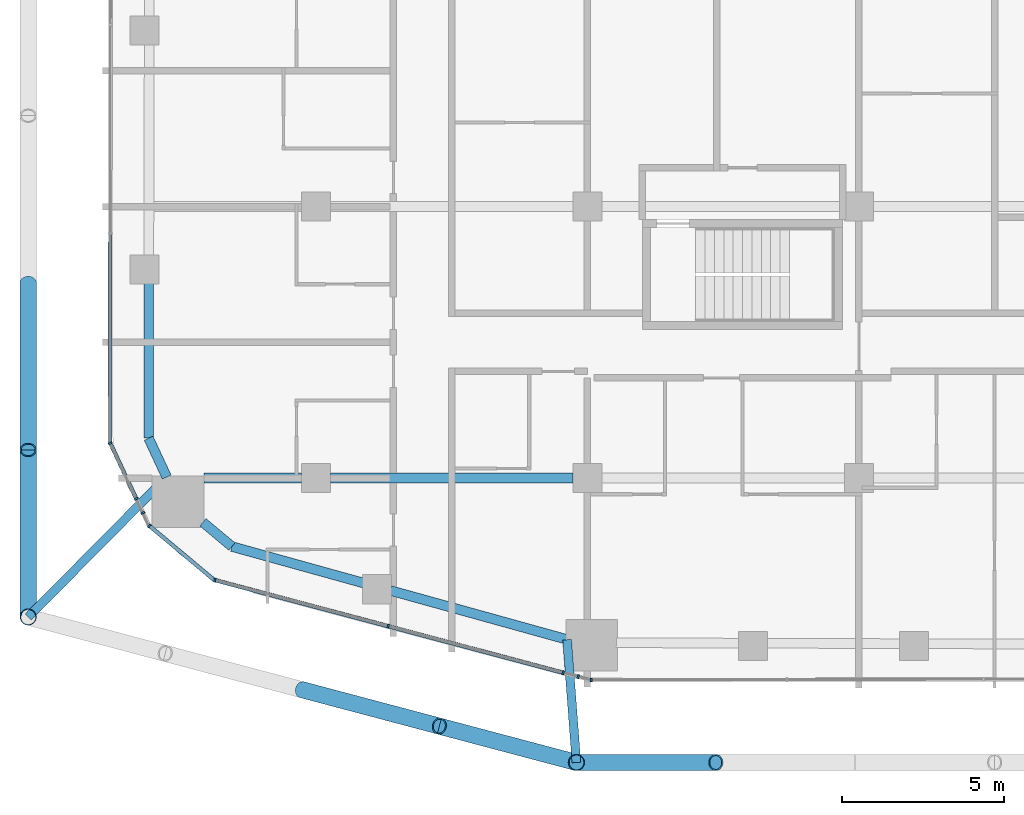
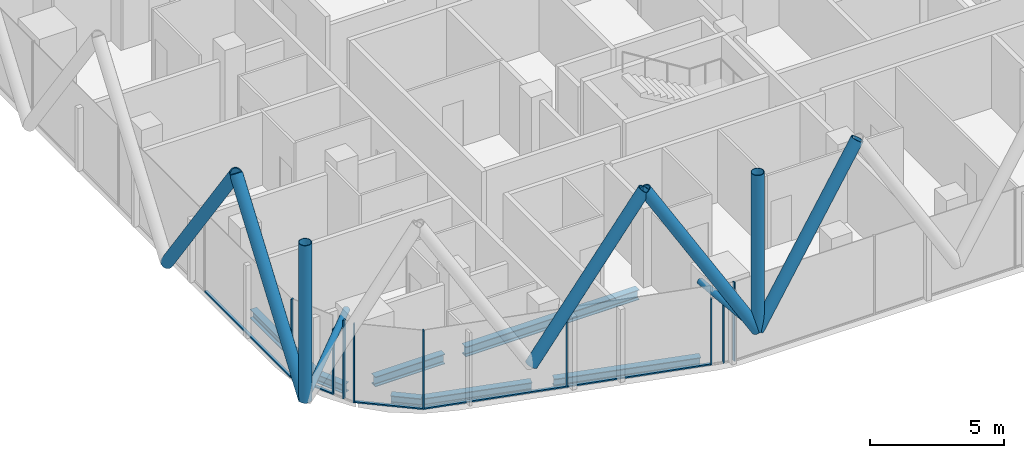
# One storey, part 2 of 33: 23 members, 7 beams, 9 elements without a shape of their own.
"""IFC4 building model written with IfcOpenShell, lengths in metres."""

from ifc_helpers import new_model, si_unit, direction, frame, origin, origin_2d, place, context, subcontext, project, spatial, rectangle, hollow_circle, i_section, extrude, material, layer, layer_set, material_profile, profile_set, type_object, element, aggregate, save


model = new_model("IFC4")

# Units and contexts
model_context = context("Model", 3, precision=1e-05, world=origin(), true_north=direction((0.0, 1.0)))
body_context = subcontext(model_context, "Body", "Model", "MODEL_VIEW")
ifc_project = project(units=[si_unit("LENGTHUNIT", "METRE"), si_unit("AREAUNIT", "SQUARE_METRE"), si_unit("VOLUMEUNIT", "CUBIC_METRE"), si_unit("PLANEANGLEUNIT", "RADIAN"), si_unit("MASSUNIT", "GRAM", prefix="KILO")], contexts=[model_context])

# Site, building, storey
site_placement = place(None, origin())
site = spatial("IfcSite", under=ifc_project, at=site_placement, CompositionType="ELEMENT")
building_placement = place(site_placement, origin())
building = spatial("IfcBuilding", under=site, at=building_placement, Name="Marenta Gate Hotel Tower", CompositionType="ELEMENT")
storey_placement = place(building_placement, frame((0.0, 0.0, 151.699951171875)))
storey = spatial("IfcBuildingStorey", under=building, at=storey_placement, Name="L35", CompositionType="ELEMENT", Elevation=151.699951171875)

# Members
ifc_material_1 = material(Name="Steel S355J2W", Category="steel")
ifc_material_profile_1 = material_profile(ifc_material_1, hollow_circle(Radius=0.25390625, WallThickness=0.02490234375, at=origin_2d()), Name="CHS 508x25")
ifc_profile_set_1 = profile_set([ifc_material_profile_1], Name="Steel S355J2W")
member_type_1 = type_object("IfcMemberType", Name="Diagrid corner post Z2 CHS 508x25", PredefinedType="POST", material=ifc_profile_set_1)
for number, where, z_axis, x_axis, name in (
    (1, (-12.93896484375, -25.60009765625, 3.14013671875), (0.0, 0.0, 1.0), (1.0, 0.0, 0.0), "L35-DR-4"),
    (2, (-29.89990234375, -21.10009765625, 3.14013671875), (0.0, 0.0, 1.0), (1.0, 0.0, 0.0), "L35-DR-5"),
):
    element("IfcMember", number, at=place(storey_placement, frame(where, z_axis=z_axis, x_axis=x_axis)), inside=storey, type_object=member_type_1, Name=name, PredefinedType="POST", context=body_context, shape_type="SweptSolid", body=[
        extrude(hollow_circle(Radius=0.25390625, WallThickness=0.02490234375, at=origin_2d()), origin(), (0.0, 0.0, 1.0), 7.199951171875),
    ])
ifc_material_2 = material(Name="Steel S355J2W", Category="steel")
ifc_material_profile_2 = material_profile(ifc_material_2, hollow_circle(Radius=0.25390625, WallThickness=0.0400390625, at=origin_2d()), Name="CHS 508x40")
ifc_profile_set_2 = profile_set([ifc_material_profile_2], Name="Steel S355J2W")
member_type_2 = type_object("IfcMemberType", Name="Diagrid diagonal Z2 CHS 508x40", PredefinedType="BRACE", material=ifc_profile_set_2)
member_1_placement = place(storey_placement, frame((-12.93896484375, -25.60009765625, 3.14013671875), z_axis=(0.513883902774, 0.0, 0.857859740558), x_axis=(0.0, 1.0, 0.0)))
element("IfcMember", 3, at=member_1_placement, inside=storey, type_object=member_type_2, Name="L35-DG-20", PredefinedType="BRACE", context=body_context, shape_type="SweptSolid", body=[
    extrude(hollow_circle(Radius=0.25390625, WallThickness=0.0400390625, at=origin_2d()), origin(), (0.0, 0.0, 1.0), 8.392822265625),
])
for number, where, z_axis, x_axis, name in (
    (4, (-12.93896484375, -25.60009765625, 3.14013671875), (-0.502924018666, 0.133433548941, 0.853968921838), (-0.256443187528, -0.96655930577, 0.0), "L35-DG-21"),
    (5, (-21.41943359375, -23.35009765625, 3.14013671875), (0.502924018666, -0.133433548941, 0.853968921838), (0.256443187528, 0.96655930577, 0.0), "L35-DG-22"),
):
    element("IfcMember", number, at=place(storey_placement, frame(where, z_axis=z_axis, x_axis=x_axis)), inside=storey, type_object=member_type_2, Name=name, PredefinedType="BRACE", context=body_context, shape_type="SweptSolid", body=[
        extrude(hollow_circle(Radius=0.25390625, WallThickness=0.0400390625, at=origin_2d()), origin(), (0.0, 0.0, 1.0), 8.43115234375),
    ])
member_2_placement = place(storey_placement, frame((-29.89990234375, -21.10009765625, 3.14013671875), z_axis=(0.0, 0.583260841117, 0.812284919975), x_axis=(-1.0, 0.0, 0.0)))
element("IfcMember", 6, at=member_2_placement, inside=storey, type_object=member_type_2, Name="L35-DG-25", PredefinedType="BRACE", context=body_context, shape_type="SweptSolid", body=[
    extrude(hollow_circle(Radius=0.25390625, WallThickness=0.0400390625, at=origin_2d()), origin(), (0.0, 0.0, 1.0), 8.86376953125),
])
member_3_placement = place(storey_placement, frame((-29.89990234375, -10.760009765625, 3.14013671875), z_axis=(0.0, -0.583279014058, 0.812271870595), x_axis=(1.0, 0.0, 0.0)))
element("IfcMember", 7, at=member_3_placement, inside=storey, type_object=member_type_2, Name="L35-DG-26", PredefinedType="BRACE", context=body_context, shape_type="SweptSolid", body=[
    extrude(hollow_circle(Radius=0.25390625, WallThickness=0.0400390625, at=origin_2d()), origin(), (0.0, 0.0, 1.0), 8.864013671875),
])

# Beams
ifc_material_3 = material(Name="Steel S355", Category="steel")
ifc_material_profile_3 = material_profile(ifc_material_3, i_section(OverallWidth=0.300048828125, OverallDepth=0.39990234375, WebThickness=0.013427734375, FlangeThickness=0.02392578125, FilletRadius=0.027099609375, at=origin_2d()), Name="HEB 400")
ifc_profile_set_3 = profile_set([ifc_material_profile_3], Name="Steel S355")
beam_type_1 = type_object("IfcBeamType", Name="Edge beam HEB 400", PredefinedType="SPANDREL", material=ifc_profile_set_3)
beam_1_placement = place(storey_placement, frame((-13.227783203125, -21.794677734375, -0.4599609375), z_axis=(-0.963615860477, 0.267290990189, 0.0), x_axis=(-0.267290990189, -0.963615860477, 0.0)))
element("IfcBeam", 8, at=beam_1_placement, inside=storey, type_object=beam_type_1, Name="L35-EB-1", PredefinedType="SPANDREL", context=body_context, shape_type="SweptSolid", body=[
    extrude(i_section(OverallWidth=0.300048828125, OverallDepth=0.39990234375, WebThickness=0.013427734375, FlangeThickness=0.02392578125, FilletRadius=0.027099609375, at=origin_2d()), origin(), (0.0, 0.0, 1.0), 5.674072265625),
])
beam_2_placement = place(storey_placement, frame((-19.518310546875, -20.0498046875, -0.4599609375), z_axis=(-0.963630213062, 0.267239242016, 0.0), x_axis=(-0.267239242016, -0.963630213062, 0.0)))
element("IfcBeam", 9, at=beam_2_placement, inside=storey, type_object=beam_type_1, Name="L35-EB-2", PredefinedType="SPANDREL", context=body_context, shape_type="SweptSolid", body=[
    extrude(i_section(OverallWidth=0.300048828125, OverallDepth=0.39990234375, WebThickness=0.013427734375, FlangeThickness=0.02392578125, FilletRadius=0.027099609375, at=origin_2d()), origin(), (0.0, 0.0, 1.0), 4.232666015625),
])
beam_3_placement = place(storey_placement, frame((-23.596923828125, -18.918701171875, -0.4599609375), z_axis=(-0.767073132856, 0.641559668972, 0.0), x_axis=(-0.641559668972, -0.767073132856, 0.0)))
element("IfcBeam", 10, at=beam_3_placement, inside=storey, type_object=beam_type_1, Name="L35-EB-3", PredefinedType="SPANDREL", context=body_context, shape_type="SweptSolid", body=[
    extrude(i_section(OverallWidth=0.300048828125, OverallDepth=0.39990234375, WebThickness=0.013427734375, FlangeThickness=0.02392578125, FilletRadius=0.027099609375, at=origin_2d()), origin(), (0.0, 0.0, 1.0), 1.1689453125),
])
beam_4_placement = place(storey_placement, frame((-25.613525390625, -16.769287109375, -0.4599609375), z_axis=(-0.423207780269, 0.906032656541, 0.0), x_axis=(-0.906032656541, -0.423207780269, 0.0)))
element("IfcBeam", 11, at=beam_4_placement, inside=storey, type_object=beam_type_1, Name="L35-EB-4", PredefinedType="SPANDREL", context=body_context, shape_type="SweptSolid", body=[
    extrude(i_section(OverallWidth=0.300048828125, OverallDepth=0.39990234375, WebThickness=0.013427734375, FlangeThickness=0.02392578125, FilletRadius=0.027099609375, at=origin_2d()), origin(), (0.0, 0.0, 1.0), 1.326904296875),
])
beam_5_placement = place(storey_placement, frame((-26.175048828125, -15.567138671875, -0.4599609375), z_axis=(0.001371810517, 0.999999059068, 0.0), x_axis=(-0.999999059068, 0.001371810517, 0.0)))
element("IfcBeam", 12, at=beam_5_placement, inside=storey, type_object=beam_type_1, Name="L35-EB-5", PredefinedType="SPANDREL", context=body_context, shape_type="SweptSolid", body=[
    extrude(i_section(OverallWidth=0.300048828125, OverallDepth=0.39990234375, WebThickness=0.013427734375, FlangeThickness=0.02392578125, FilletRadius=0.027099609375, at=origin_2d()), origin(), (0.0, 0.0, 1.0), 4.80517578125),
])

# Members
ifc_material_4 = material(Name="Steel S355J2W", Category="steel")
ifc_material_profile_4 = material_profile(ifc_material_4, hollow_circle(Radius=0.136474609375, WallThickness=0.012451171875, at=origin_2d()), Name="CHS 273x12.5")
ifc_profile_set_4 = profile_set([ifc_material_profile_4], Name="Steel S355J2W")
member_type_3 = type_object("IfcMemberType", Name="Floor tie CHS 273x12.5", PredefinedType="STRUT", material=ifc_profile_set_4)
member_4_placement = place(storey_placement, frame((-12.93896484375, -25.60009765625, 3.14013671875), z_axis=(-0.075691735753, 0.997131265751, 0.0), x_axis=(-0.997131265751, -0.075691735753, 0.0)))
element("IfcMember", 13, at=member_4_placement, inside=storey, type_object=member_type_3, Name="L35-DR-10", PredefinedType="STRUT", context=body_context, shape_type="SweptSolid", body=[
    extrude(hollow_circle(Radius=0.136474609375, WallThickness=0.012451171875, at=origin_2d()), origin(), (0.0, 0.0, 1.0), 3.809326171875),
])
member_5_placement = place(storey_placement, frame((-29.89990234375, -21.10009765625, 3.14013671875), z_axis=(0.703467207322, 0.710727717359, 0.0), x_axis=(-0.710727717359, 0.703467207322, 0.0)))
element("IfcMember", 14, at=member_5_placement, inside=storey, type_object=member_type_3, Name="L35-DR-11", PredefinedType="STRUT", context=body_context, shape_type="SweptSolid", body=[
    extrude(hollow_circle(Radius=0.136474609375, WallThickness=0.012451171875, at=origin_2d()), origin(), (0.0, 0.0, 1.0), 6.086181640625),
])

# Beams
ifc_material_5 = material(Name="Steel S355", Category="steel")
ifc_material_profile_5 = material_profile(ifc_material_5, i_section(OverallWidth=0.300048828125, OverallDepth=0.449951171875, WebThickness=0.013916015625, FlangeThickness=0.02587890625, FilletRadius=0.027099609375, at=origin_2d()), Name="HEB 450")
ifc_profile_set_5 = profile_set([ifc_material_profile_5], Name="Steel S355")
beam_type_2 = type_object("IfcBeamType", Name="Girder HEB 450", PredefinedType="BEAM", material=ifc_profile_set_5)
beam_6_placement = place(storey_placement, frame((-24.462890625, -16.800048828125, -0.48486328125), z_axis=(1.0, 0.0, 0.0), x_axis=(0.0, 1.0, 0.0)))
element("IfcBeam", 15, at=beam_6_placement, inside=storey, type_object=beam_type_2, Name="L35-GD-1", PredefinedType="BEAM", context=body_context, shape_type="SweptSolid", body=[
    extrude(i_section(OverallWidth=0.300048828125, OverallDepth=0.449951171875, WebThickness=0.013916015625, FlangeThickness=0.02587890625, FilletRadius=0.027099609375, at=origin_2d()), origin(), (0.0, 0.0, 1.0), 3.012939453125),
])
beam_7_placement = place(storey_placement, frame((-20.550048828125, -16.800048828125, -0.48486328125), z_axis=(1.0, 0.0, 0.0), x_axis=(0.0, 1.0, 0.0)))
element("IfcBeam", 16, at=beam_7_placement, inside=storey, type_object=beam_type_2, Name="L35-GD-2", PredefinedType="BEAM", context=body_context, shape_type="SweptSolid", body=[
    extrude(i_section(OverallWidth=0.300048828125, OverallDepth=0.449951171875, WebThickness=0.013916015625, FlangeThickness=0.02587890625, FilletRadius=0.027099609375, at=origin_2d()), origin(), (0.0, 0.0, 1.0), 7.5),
])

# Curtain wall, member
ifc_material_6 = material(Name="Tinted insulated glass in bronze anodised frame", Category="glass")
ifc_layer = layer(ifc_material_6, 0.1201171875)
ifc_layer_set = layer_set([ifc_layer], Name="Tinted insulated glass in bronze anodised frame")
curtain_wall_type = type_object("IfcCurtainWallType", Name="Tower unitised curtain wall CW1", PredefinedType="NOTDEFINED", material=ifc_layer_set)
curtain_wall_1_placement = place(storey_placement, origin())
curtain_wall_1 = element("IfcCurtainWall", 17, at=curtain_wall_1_placement, inside=storey, type_object=curtain_wall_type, Name="CW1 run G05", PredefinedType="NOTDEFINED")
ifc_material_7 = material(Name="Bronze anodised aluminium", Category="aluminium")
ifc_material_profile_6 = material_profile(ifc_material_7, rectangle(XDim=0.1201171875, YDim=0.06005859375, at=origin_2d()), Name="Mullion CW1 60x120 bronze anodised aluminium")
ifc_profile_set_6 = profile_set([ifc_material_profile_6], Name="Bronze anodised aluminium")
member_type_4 = type_object("IfcMemberType", Name="Mullion CW1 60x120 bronze anodised aluminium", PredefinedType="MULLION", material=ifc_profile_set_6)
member_6_placement = place(storey_placement, frame((-27.3603515625, -15.720947265625, 0.0), z_axis=(0.0, 0.0, 1.0), x_axis=(0.90596765607, 0.423346909938, 0.0)))
member_6 = element("IfcMember", 18, at=member_6_placement, type_object=member_type_4, Name="CW1 mullion 1", PredefinedType="MULLION", context=body_context, shape_type="SweptSolid", body=[
    extrude(rectangle(XDim=0.1201171875, YDim=0.06005859375, at=origin_2d()), origin(), (0.0, 0.0, 1.0), 3.60009765625),
])

curtain_wall_2_placement = place(storey_placement, origin())
curtain_wall_2 = element("IfcCurtainWall", 19, at=curtain_wall_2_placement, inside=storey, type_object=curtain_wall_type, Name="CW1 run G06", PredefinedType="NOTDEFINED")
member_7_placement = place(storey_placement, frame((-26.556884765625, -17.4404296875, 0.0), z_axis=(0.0, 0.0, 1.0), x_axis=(0.905960772222, 0.423361641148, 0.0)))
member_7 = element("IfcMember", 20, at=member_7_placement, type_object=member_type_4, Name="CW1 mullion 1", PredefinedType="MULLION", context=body_context, shape_type="SweptSolid", body=[
    extrude(rectangle(XDim=0.1201171875, YDim=0.06005859375, at=origin_2d()), origin(), (0.0, 0.0, 1.0), 3.00048828125),
])
aggregate(curtain_wall_2, [member_7])

curtain_wall_3_placement = place(storey_placement, origin())
curtain_wall_3 = element("IfcCurtainWall", 21, at=curtain_wall_3_placement, inside=storey, type_object=curtain_wall_type, Name="CW1 run G07", PredefinedType="NOTDEFINED")
member_8_placement = place(storey_placement, frame((-26.352294921875, -17.8779296875, 0.0), z_axis=(0.0, 0.0, 1.0), x_axis=(0.906001027936, 0.42327548639, 0.0)))
member_8 = element("IfcMember", 22, at=member_8_placement, type_object=member_type_4, Name="CW1 mullion 1", PredefinedType="MULLION", context=body_context, shape_type="SweptSolid", body=[
    extrude(rectangle(XDim=0.1201171875, YDim=0.06005859375, at=origin_2d()), origin(), (0.0, 0.0, 1.0), 3.60009765625),
])
aggregate(curtain_wall_3, [member_8])

curtain_wall_4_placement = place(storey_placement, origin())
curtain_wall_4 = element("IfcCurtainWall", 23, at=curtain_wall_4_placement, inside=storey, type_object=curtain_wall_type, Name="CW1 run G08", PredefinedType="NOTDEFINED")
member_9_placement = place(storey_placement, frame((-26.152099609375, -18.27685546875, 0.0), z_axis=(0.0, 0.0, 1.0), x_axis=(0.641512168126, 0.767112858807, 0.0)))
member_9 = element("IfcMember", 24, at=member_9_placement, type_object=member_type_4, Name="CW1 mullion 1", PredefinedType="MULLION", context=body_context, shape_type="SweptSolid", body=[
    extrude(rectangle(XDim=0.1201171875, YDim=0.06005859375, at=origin_2d()), origin(), (0.0, 0.0, 1.0), 3.60009765625),
])

# Curtain wall, members
curtain_wall_5_placement = place(storey_placement, origin())
curtain_wall_5 = element("IfcCurtainWall", 25, at=curtain_wall_5_placement, inside=storey, type_object=curtain_wall_type, Name="CW1 run G09", PredefinedType="NOTDEFINED")
member_10_placement = place(storey_placement, frame((-24.12451171875, -19.955810546875, 0.0), z_axis=(0.0, 0.0, 1.0), x_axis=(0.257143521209, 0.966373224743, 0.0)))
member_10 = element("IfcMember", 26, at=member_10_placement, type_object=member_type_4, Name="CW1 mullion 1", PredefinedType="MULLION", context=body_context, shape_type="SweptSolid", body=[
    extrude(rectangle(XDim=0.1201171875, YDim=0.06005859375, at=origin_2d()), origin(), (0.0, 0.0, 1.0), 3.60009765625),
])
member_11_placement = place(storey_placement, frame((-18.765380859375, -21.3818359375, 0.0), z_axis=(0.0, 0.0, 1.0), x_axis=(0.257143521209, 0.966373224743, 0.0)))
member_11 = element("IfcMember", 27, at=member_11_placement, type_object=member_type_4, Name="CW1 mullion 2", PredefinedType="MULLION", context=body_context, shape_type="SweptSolid", body=[
    extrude(rectangle(XDim=0.1201171875, YDim=0.06005859375, at=origin_2d()), origin(), (0.0, 0.0, 1.0), 3.60009765625),
])

# Curtain wall, member
curtain_wall_6_placement = place(storey_placement, origin())
curtain_wall_6 = element("IfcCurtainWall", 28, at=curtain_wall_6_placement, inside=storey, type_object=curtain_wall_type, Name="CW1 run G10", PredefinedType="NOTDEFINED")
member_12_placement = place(storey_placement, frame((-13.348388671875, -22.8232421875, 0.0), z_axis=(0.0, 0.0, 1.0), x_axis=(0.257026845764, 0.966404263523, 0.0)))
member_12 = element("IfcMember", 29, at=member_12_placement, type_object=member_type_4, Name="CW1 mullion 1", PredefinedType="MULLION", context=body_context, shape_type="SweptSolid", body=[
    extrude(rectangle(XDim=0.1201171875, YDim=0.06005859375, at=origin_2d()), origin(), (0.0, 0.0, 1.0), 3.00048828125),
])
aggregate(curtain_wall_6, [member_12])

curtain_wall_7_placement = place(storey_placement, origin())
curtain_wall_7 = element("IfcCurtainWall", 30, at=curtain_wall_7_placement, inside=storey, type_object=curtain_wall_type, Name="CW1 run G11", PredefinedType="NOTDEFINED")
member_13_placement = place(storey_placement, frame((-12.884765625, -22.946533203125, 0.0), z_axis=(0.0, 0.0, 1.0), x_axis=(0.257279256414, 0.966337096576, 0.0)))
member_13 = element("IfcMember", 31, at=member_13_placement, type_object=member_type_4, Name="CW1 mullion 1", PredefinedType="MULLION", context=body_context, shape_type="SweptSolid", body=[
    extrude(rectangle(XDim=0.1201171875, YDim=0.06005859375, at=origin_2d()), origin(), (0.0, 0.0, 1.0), 3.60009765625),
])
aggregate(curtain_wall_7, [member_13])

curtain_wall_8_placement = place(storey_placement, origin())
curtain_wall_8 = element("IfcCurtainWall", 32, at=curtain_wall_8_placement, inside=storey, type_object=curtain_wall_type, Name="CW1 run G12", PredefinedType="NOTDEFINED")
member_14_placement = place(storey_placement, frame((-12.475830078125, -23.04736328125, 0.0), z_axis=(0.0, 0.0, 1.0), x_axis=(-0.00136470383, 0.999999068791, 0.0)))
member_14 = element("IfcMember", 33, at=member_14_placement, type_object=member_type_4, Name="CW1 mullion 1", PredefinedType="MULLION", context=body_context, shape_type="SweptSolid", body=[
    extrude(rectangle(XDim=0.1201171875, YDim=0.06005859375, at=origin_2d()), origin(), (0.0, 0.0, 1.0), 3.60009765625),
])
aggregate(curtain_wall_8, [member_14])

curtain_wall_9_placement = place(storey_placement, origin())
curtain_wall_9 = element("IfcCurtainWall", 34, at=curtain_wall_9_placement, inside=storey, type_object=curtain_wall_type, Name="CW1 run G04", PredefinedType="NOTDEFINED")
ifc_material_8 = material(Name="Bronze anodised aluminium", Category="aluminium")
ifc_material_profile_7 = material_profile(ifc_material_8, rectangle(XDim=0.1201171875, YDim=0.06005859375, at=origin_2d()), Name="Transom CW1 60x120 bronze anodised aluminium")
ifc_profile_set_7 = profile_set([ifc_material_profile_7], Name="Bronze anodised aluminium")
member_type_5 = type_object("IfcMemberType", Name="Transom CW1 60x120 bronze anodised aluminium", PredefinedType="USERDEFINED", material=ifc_profile_set_7)
member_15_placement = place(storey_placement, frame((-27.363037109375, -9.263916015625, 0.030029296875), z_axis=(-0.001556743377, -0.999998788274, 0.0), x_axis=(0.999998788274, -0.001556743377, 0.0)))
member_15 = element("IfcMember", 35, at=member_15_placement, type_object=member_type_5, Name="CW1 transom 6.1", ObjectType="TRANSOM", PredefinedType="USERDEFINED", context=body_context, shape_type="SweptSolid", body=[
    extrude(rectangle(XDim=0.1201171875, YDim=0.06005859375, at=origin_2d()), origin(), (0.0, 0.0, 1.0), 6.429931640625),
])
aggregate(curtain_wall_9, [member_15])

# Member
member_16_placement = place(storey_placement, frame((-27.34765625, -15.748046875, 0.030029296875), z_axis=(0.423307157051, -0.905986231015, 0.0), x_axis=(0.905986231015, 0.423307157051, 0.0)))
member_16 = element("IfcMember", 36, at=member_16_placement, type_object=member_type_5, Name="CW1 transom 1.1", ObjectType="TRANSOM", PredefinedType="USERDEFINED", context=body_context, shape_type="SweptSolid", body=[
    extrude(rectangle(XDim=0.1201171875, YDim=0.06005859375, at=origin_2d()), origin(), (0.0, 0.0, 1.0), 1.838134765625),
])

aggregate(curtain_wall_1, [member_6, member_16])

member_17_placement = place(storey_placement, frame((-26.12890625, -18.296142578125, 0.030029296875), z_axis=(0.767116735682, -0.641507532175, 0.0), x_axis=(0.641507532175, 0.767116735682, 0.0)))
member_17 = element("IfcMember", 37, at=member_17_placement, type_object=member_type_5, Name="CW1 transom 1.1", ObjectType="TRANSOM", PredefinedType="USERDEFINED", context=body_context, shape_type="SweptSolid", body=[
    extrude(rectangle(XDim=0.1201171875, YDim=0.06005859375, at=origin_2d()), origin(), (0.0, 0.0, 1.0), 2.575439453125),
])

aggregate(curtain_wall_4, [member_9, member_17])

member_18_placement = place(storey_placement, frame((-24.095458984375, -19.963623046875, 0.030029296875), z_axis=(0.966369250889, -0.257158454918, 0.0), x_axis=(0.257158454918, 0.966369250889, 0.0)))
member_18 = element("IfcMember", 38, at=member_18_placement, type_object=member_type_5, Name="CW1 transom 1.1", ObjectType="TRANSOM", PredefinedType="USERDEFINED", context=body_context, shape_type="SweptSolid", body=[
    extrude(rectangle(XDim=0.1201171875, YDim=0.06005859375, at=origin_2d()), origin(), (0.0, 0.0, 1.0), 5.485595703125),
])

member_19_placement = place(storey_placement, frame((-18.736328125, -21.3896484375, 0.030029296875), z_axis=(0.966369990087, -0.257155677089, 0.0), x_axis=(0.257155677089, 0.966369990087, 0.0)))
member_19 = element("IfcMember", 39, at=member_19_placement, type_object=member_type_5, Name="CW1 transom 2.1", ObjectType="TRANSOM", PredefinedType="USERDEFINED", context=body_context, shape_type="SweptSolid", body=[
    extrude(rectangle(XDim=0.1201171875, YDim=0.06005859375, at=origin_2d()), origin(), (0.0, 0.0, 1.0), 5.54541015625),
])

aggregate(curtain_wall_5, [member_10, member_11, member_18, member_19])

save(model, "model.ifc")
